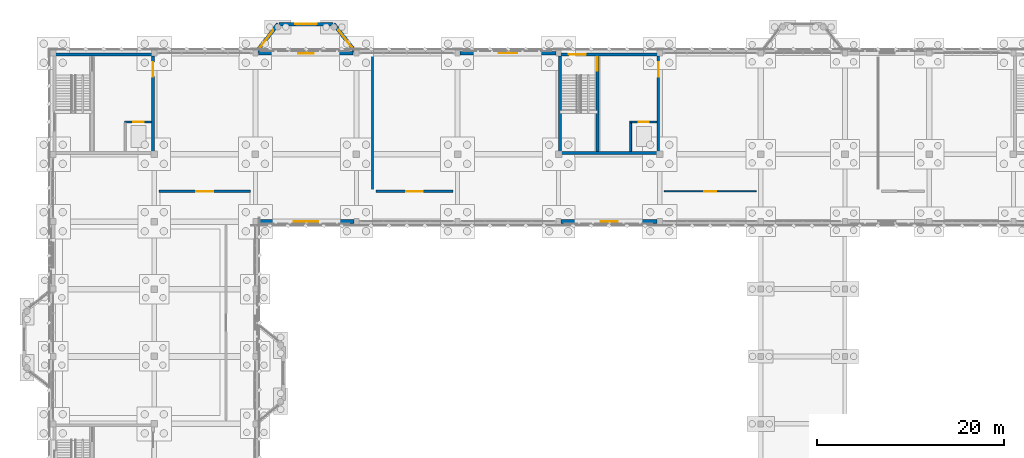
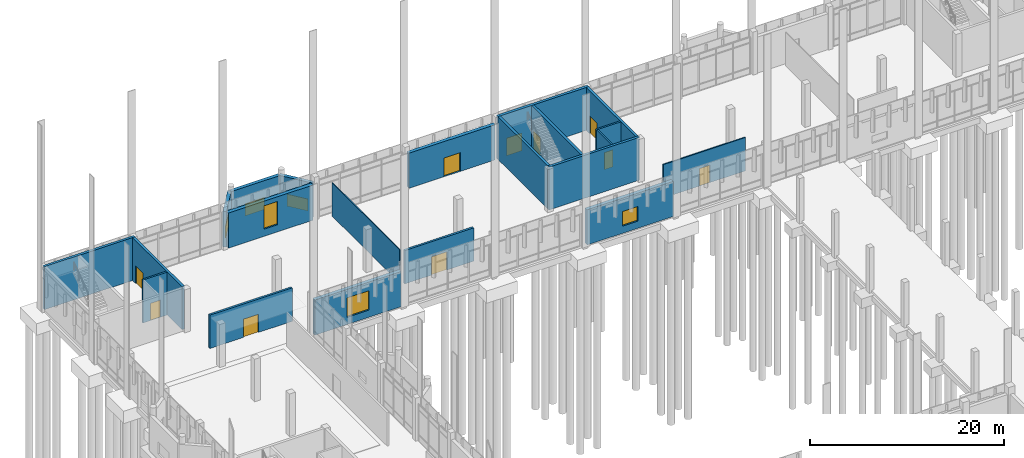
# One storey, part 87 of 109: 21 walls, 10 doors, 6 windows, 16 openings.
"""IFC4 building model written with IfcOpenShell, lengths in metres."""

from ifc_helpers import new_model, si_unit, direction, frame, frame_2d, origin, place, context, subcontext, project, spatial, rectangle, extrude, material, layer, layer_set, type_object, element, fill, save


model = new_model("IFC4")

# Units and contexts
model_context = context("Model", 3, precision=1e-05, world=origin(), true_north=direction((0.0, 1.0)))
body_context = subcontext(model_context, "Body", "Model", "MODEL_VIEW")
ifc_project = project(units=[si_unit("LENGTHUNIT", "METRE"), si_unit("AREAUNIT", "SQUARE_METRE"), si_unit("VOLUMEUNIT", "CUBIC_METRE"), si_unit("PLANEANGLEUNIT", "RADIAN"), si_unit("MASSUNIT", "GRAM", prefix="KILO")], contexts=[model_context])

# Site, building, storey
site_placement = place(None, origin())
site = spatial("IfcSite", under=ifc_project, at=site_placement, CompositionType="ELEMENT")
building_placement = place(site_placement, origin())
building = spatial("IfcBuilding", under=site, at=building_placement, Name="Lusvemor Sports Hall", CompositionType="ELEMENT")
storey_placement = place(building_placement, origin())
storey = spatial("IfcBuildingStorey", under=building, at=storey_placement, Name="L00", CompositionType="ELEMENT", Elevation=0.0)

# Wall, opening, window
ifc_material_1 = material(Name="Precast granite-faced Concrete C40/50 architectural cladding", Category="masonry")
ifc_layer_1 = layer(ifc_material_1, 0.39501953125)
ifc_layer_set_1 = layer_set([ifc_layer_1], Name="Precast granite-faced Concrete C40/50 architectural cladding")
wall_type_1 = type_object("IfcWallType", Name="EW_GRANITE_395", PredefinedType="STANDARD", material=ifc_layer_set_1)
wall_1_placement = place(storey_placement, frame((21.746826171875, 115.389892578125, 0.0), z_axis=(0.0, 0.0, 1.0), x_axis=(0.612214188553, 0.790691967415, 0.0)))
wall_1 = element("IfcWall", 1, at=wall_1_placement, inside=storey, type_object=wall_type_1, Name="Art Nouveau Bow Wall EW-BOW-N1-L00-1", PredefinedType="STANDARD", context=body_context, shape_type="SweptSolid", body=[
    extrude(rectangle(XDim=3.723388671875, YDim=0.39501953125, at=frame_2d((1.86181640625, 0.0))), origin(), (0.0, 0.0, 1.0), 4.47998046875),
])
opening_1_placement = place(wall_1_placement, frame((0.56005859375, 0.0, 0.699951171875)))
opening_1 = element("IfcOpeningElement", 2, at=opening_1_placement, cuts=wall_1, Name="Opening WN21", PredefinedType="OPENING", context=body_context, shape_type="SweptSolid", body=[
    extrude(rectangle(XDim=2.320068359375, YDim=1.52001953125, at=frame_2d((1.16015625, 0.760009765625))), frame((0.0, 0.197509765625, 0.0), z_axis=(0.0, -1.0, 0.0), x_axis=(1.0, 0.0, 0.0)), (0.0, 0.0, 1.0), 0.39501953125),
])
ifc_material_2 = material(Name="Solar-control laminated double glazing", Category="glass")
window_type_1 = type_object("IfcWindowType", Name="WIN_21", PartitioningType="SINGLE_PANEL", PredefinedType="WINDOW", material=ifc_material_2)
window_1_placement = place(opening_1_placement, origin())
window_1 = element("IfcWindow", 3, at=window_1_placement, inside=storey, type_object=window_type_1, Name="Art Nouveau Bow Window BOW-N1 L00-1", OverallHeight=1.52001953125, OverallWidth=2.320068359375, PartitioningType="SINGLE_PANEL", PredefinedType="WINDOW", context=body_context, shape_type="SweptSolid", body=[
    extrude(rectangle(XDim=2.320068359375, YDim=1.52001953125, at=frame_2d((1.16015625, 0.760009765625))), frame((0.0, 0.030029296875, 0.0), z_axis=(0.0, -1.0, 0.0), x_axis=(1.0, 0.0, 0.0)), (0.0, 0.0, 1.0), 0.06005859375),
])
fill(opening_1, window_1)

wall_2_placement = place(storey_placement, frame((24.1201171875, 118.300048828125, 0.0), z_axis=(0.0, 0.0, 1.0), x_axis=(1.0, 0.0, 0.0)))
wall_2 = element("IfcWall", 4, at=wall_2_placement, inside=storey, type_object=wall_type_1, Name="Art Nouveau Bow Wall EW-BOW-N1-L00-2", PredefinedType="STANDARD", context=body_context, shape_type="SweptSolid", body=[
    extrude(rectangle(XDim=5.759765625, YDim=0.39501953125, at=frame_2d((2.8798828125, 0.0))), origin(), (0.0, 0.0, 1.0), 4.47998046875),
])
opening_2_placement = place(wall_2_placement, frame((1.719970703125, 0.0, 0.699951171875)))
opening_2 = element("IfcOpeningElement", 5, at=opening_2_placement, cuts=wall_2, Name="Opening WN21", PredefinedType="OPENING", context=body_context, shape_type="SweptSolid", body=[
    extrude(rectangle(XDim=2.320068359375, YDim=1.52001953125, at=frame_2d((1.16015625, 0.760009765625))), frame((0.0, 0.197509765625, 0.0), z_axis=(0.0, -1.0, 0.0), x_axis=(1.0, 0.0, 0.0)), (0.0, 0.0, 1.0), 0.39501953125),
])
window_2_placement = place(opening_2_placement, origin())
window_2 = element("IfcWindow", 6, at=window_2_placement, inside=storey, type_object=window_type_1, Name="Art Nouveau Bow Window BOW-N1 L00-2", OverallHeight=1.52001953125, OverallWidth=2.320068359375, PartitioningType="SINGLE_PANEL", PredefinedType="WINDOW", context=body_context, shape_type="SweptSolid", body=[
    extrude(rectangle(XDim=2.320068359375, YDim=1.52001953125, at=frame_2d((1.16015625, 0.760009765625))), frame((0.0, 0.030029296875, 0.0), z_axis=(0.0, -1.0, 0.0), x_axis=(1.0, 0.0, 0.0)), (0.0, 0.0, 1.0), 0.06005859375),
])
fill(opening_2, window_2)

wall_3_placement = place(storey_placement, frame((29.9736328125, 118.333984375, 0.0), z_axis=(0.0, 0.0, 1.0), x_axis=(0.612214188553, -0.790691967415, 0.0)))
wall_3 = element("IfcWall", 7, at=wall_3_placement, inside=storey, type_object=wall_type_1, Name="Art Nouveau Bow Wall EW-BOW-N1-L00-3", PredefinedType="STANDARD", context=body_context, shape_type="SweptSolid", body=[
    extrude(rectangle(XDim=3.723388671875, YDim=0.39501953125, at=frame_2d((1.86181640625, 0.0))), origin(), (0.0, 0.0, 1.0), 4.47998046875),
])
opening_3_placement = place(wall_3_placement, frame((0.843017578125, 0.0, 0.699951171875)))
opening_3 = element("IfcOpeningElement", 8, at=opening_3_placement, cuts=wall_3, Name="Opening WN21", PredefinedType="OPENING", context=body_context, shape_type="SweptSolid", body=[
    extrude(rectangle(XDim=2.320068359375, YDim=1.52001953125, at=frame_2d((1.16015625, 0.760009765625))), frame((0.0, 0.197509765625, 0.0), z_axis=(0.0, -1.0, 0.0), x_axis=(1.0, 0.0, 0.0)), (0.0, 0.0, 1.0), 0.39501953125),
])
window_3_placement = place(opening_3_placement, origin())
window_3 = element("IfcWindow", 9, at=window_3_placement, inside=storey, type_object=window_type_1, Name="Art Nouveau Bow Window BOW-N1 L00-3", OverallHeight=1.52001953125, OverallWidth=2.320068359375, PartitioningType="SINGLE_PANEL", PredefinedType="WINDOW", context=body_context, shape_type="SweptSolid", body=[
    extrude(rectangle(XDim=2.320068359375, YDim=1.52001953125, at=frame_2d((1.16015625, 0.760009765625))), frame((0.0, 0.030029296875, 0.0), z_axis=(0.0, -1.0, 0.0), x_axis=(1.0, 0.0, 0.0)), (0.0, 0.0, 1.0), 0.06005859375),
])
fill(opening_3, window_3)

ifc_material_3 = material(Name="Precast granite-faced Concrete C40/50 architectural cladding", Category="masonry")
ifc_layer_2 = layer(ifc_material_3, 0.419921875)
ifc_layer_set_2 = layer_set([ifc_layer_2], Name="Precast granite-faced Concrete C40/50 architectural cladding")
wall_type_2 = type_object("IfcWallType", Name="EW_GRANITE_420", PredefinedType="STANDARD", material=ifc_layer_set_2)
wall_4_placement = place(storey_placement, frame((21.947265625, 115.199951171875, 0.0), z_axis=(0.0, 0.0, 1.0), x_axis=(1.0, 0.0, 0.0)))
wall_4 = element("IfcWall", 10, at=wall_4_placement, inside=storey, type_object=wall_type_2, Name="Exterior Wall EW-L00-N-1-2", PredefinedType="STANDARD", context=body_context, shape_type="SweptSolid", body=[
    extrude(rectangle(XDim=10.10546875, YDim=0.419921875, at=frame_2d((5.052734375, 0.0))), origin(), (0.0, 0.0, 1.0), 4.425048828125),
])
opening_4_placement = place(wall_4_placement, frame((4.227783203125, 0.0, 0.89990234375)))
opening_4 = element("IfcOpeningElement", 11, at=opening_4_placement, cuts=wall_4, Name="Opening WN05", PredefinedType="OPENING", context=body_context, shape_type="SweptSolid", body=[
    extrude(rectangle(XDim=1.64990234375, YDim=2.949951171875, at=frame_2d((0.824951171875, 1.47509765625))), frame((0.0, 0.2099609375, 0.0), z_axis=(0.0, -1.0, 0.0), x_axis=(1.0, 0.0, 0.0)), (0.0, 0.0, 1.0), 0.419921875),
])
ifc_material_4 = material(Name="Solar-control laminated double glazing", Category="glass")
window_type_2 = type_object("IfcWindowType", Name="WIN_05", PartitioningType="SINGLE_PANEL", PredefinedType="WINDOW", material=ifc_material_4)
window_4_placement = place(opening_4_placement, origin())
window_4 = element("IfcWindow", 12, at=window_4_placement, inside=storey, type_object=window_type_2, Name="Wing Window L00-N-1-2", OverallHeight=2.949951171875, OverallWidth=1.64990234375, PartitioningType="SINGLE_PANEL", PredefinedType="WINDOW", context=body_context, shape_type="SweptSolid", body=[
    extrude(rectangle(XDim=1.64990234375, YDim=2.949951171875, at=frame_2d((0.824951171875, 1.47509765625))), frame((0.0, 0.030029296875, 0.0), z_axis=(0.0, -1.0, 0.0), x_axis=(1.0, 0.0, 0.0)), (0.0, 0.0, 1.0), 0.06005859375),
])
fill(opening_4, window_4)

# Wall, opening, door
wall_5_placement = place(storey_placement, frame((43.47607421875, 115.199951171875, 0.0), z_axis=(0.0, 0.0, 1.0), x_axis=(1.0, 0.0, 0.0)))
wall_5 = element("IfcWall", 13, at=wall_5_placement, inside=storey, type_object=wall_type_2, Name="Exterior Wall EW-L00-N-1-4", PredefinedType="STANDARD", context=body_context, shape_type="SweptSolid", body=[
    extrude(rectangle(XDim=10.248046875, YDim=0.419921875, at=frame_2d((5.1240234375, 0.0))), origin(), (0.0, 0.0, 1.0), 4.425048828125),
])
opening_5_placement = place(wall_5_placement, frame((4.134033203125, 0.0, 0.0)))
opening_5 = element("IfcOpeningElement", 14, at=opening_5_placement, cuts=wall_5, Name="Opening ED10", PredefinedType="OPENING", context=body_context, shape_type="SweptSolid", body=[
    extrude(rectangle(XDim=1.97998046875, YDim=2.360107421875, at=frame_2d((0.989990234375, 1.18017578125))), frame((0.0, 0.2099609375, 0.0), z_axis=(0.0, -1.0, 0.0), x_axis=(1.0, 0.0, 0.0)), (0.0, 0.0, 1.0), 0.419921875),
])
ifc_material_5 = material(Name="Thermally broken bronze-anodized aluminium", Category="aluminium")
door_type_1 = type_object("IfcDoorType", Name="EDR_PLANT_198x236", OperationType="NOTDEFINED", PredefinedType="DOOR", material=ifc_material_5)
door_1_placement = place(opening_5_placement, origin())
door_1 = element("IfcDoor", 15, at=door_1_placement, inside=storey, type_object=door_type_1, Name="DR-027", OperationType="SINGLE_SWING_LEFT", OverallHeight=2.360107421875, OverallWidth=1.97998046875, PredefinedType="DOOR", context=body_context, shape_type="SweptSolid", body=[
    extrude(rectangle(XDim=1.97998046875, YDim=2.360107421875, at=frame_2d((0.989990234375, 1.18017578125))), frame((0.0, 0.02490234375, 0.0), z_axis=(0.0, -1.0, 0.0), x_axis=(1.0, 0.0, 0.0)), (0.0, 0.0, 1.0), 0.050048828125),
])
fill(opening_5, door_1)

# Wall, opening, window
wall_6_placement = place(storey_placement, frame((32.1240234375, 97.199951171875, 0.0), z_axis=(0.0, 0.0, 1.0), x_axis=(-1.0, 0.0, 0.0)))
wall_6 = element("IfcWall", 16, at=wall_6_placement, inside=storey, type_object=wall_type_2, Name="Exterior Wall EW-L00-S-3-0", PredefinedType="STANDARD", context=body_context, shape_type="SweptSolid", body=[
    extrude(rectangle(XDim=10.248046875, YDim=0.419921875, at=frame_2d((5.1240234375, 0.0))), origin(), (0.0, 0.0, 1.0), 4.425048828125),
])
opening_6_placement = place(wall_6_placement, frame((3.799072265625, 0.0, 0.89990234375)))
opening_6 = element("IfcOpeningElement", 17, at=opening_6_placement, cuts=wall_6, Name="Opening WN07", PredefinedType="OPENING", context=body_context, shape_type="SweptSolid", body=[
    extrude(rectangle(XDim=2.64990234375, YDim=2.449951171875, at=frame_2d((1.324951171875, 1.22509765625))), frame((0.0, 0.2099609375, 0.0), z_axis=(0.0, -1.0, 0.0), x_axis=(1.0, 0.0, 0.0)), (0.0, 0.0, 1.0), 0.419921875),
])
ifc_material_6 = material(Name="Solar-control laminated double glazing", Category="glass")
window_type_3 = type_object("IfcWindowType", Name="WIN_07", PartitioningType="SINGLE_PANEL", PredefinedType="WINDOW", material=ifc_material_6)
window_5_placement = place(opening_6_placement, origin())
window_5 = element("IfcWindow", 18, at=window_5_placement, inside=storey, type_object=window_type_3, Name="Wing Window L00-S-3-0", OverallHeight=2.449951171875, OverallWidth=2.64990234375, PartitioningType="SINGLE_PANEL", PredefinedType="WINDOW", context=body_context, shape_type="SweptSolid", body=[
    extrude(rectangle(XDim=2.64990234375, YDim=2.449951171875, at=frame_2d((1.324951171875, 1.22509765625))), frame((0.0, 0.030029296875, 0.0), z_axis=(0.0, -1.0, 0.0), x_axis=(1.0, 0.0, 0.0)), (0.0, 0.0, 1.0), 0.06005859375),
])
fill(opening_6, window_5)

wall_7_placement = place(storey_placement, frame((64.52392578125, 97.199951171875, 0.0), z_axis=(0.0, 0.0, 1.0), x_axis=(-1.0, 0.0, 0.0)))
wall_7 = element("IfcWall", 19, at=wall_7_placement, inside=storey, type_object=wall_type_2, Name="Exterior Wall EW-L00-S-3-3", PredefinedType="STANDARD", context=body_context, shape_type="SweptSolid", body=[
    extrude(rectangle(XDim=10.248046875, YDim=0.419921875, at=frame_2d((5.1240234375, 0.0))), origin(), (0.0, 0.0, 1.0), 4.425048828125),
])
opening_7_placement = place(wall_7_placement, frame((4.214111328125, 0.0, 0.89990234375)))
opening_7 = element("IfcOpeningElement", 20, at=opening_7_placement, cuts=wall_7, Name="Opening WN10", PredefinedType="OPENING", context=body_context, shape_type="SweptSolid", body=[
    extrude(rectangle(XDim=1.820068359375, YDim=1.840087890625, at=frame_2d((0.91015625, 0.919921875))), frame((0.0, 0.2099609375, 0.0), z_axis=(0.0, -1.0, 0.0), x_axis=(1.0, 0.0, 0.0)), (0.0, 0.0, 1.0), 0.419921875),
])
ifc_material_7 = material(Name="Solar-control laminated double glazing", Category="glass")
window_type_4 = type_object("IfcWindowType", Name="WIN_10", PartitioningType="SINGLE_PANEL", PredefinedType="WINDOW", material=ifc_material_7)
window_6_placement = place(opening_7_placement, origin())
window_6 = element("IfcWindow", 21, at=window_6_placement, inside=storey, type_object=window_type_4, Name="Wing Window L00-S-3-3", OverallHeight=1.840087890625, OverallWidth=1.820068359375, PartitioningType="SINGLE_PANEL", PredefinedType="WINDOW", context=body_context, shape_type="SweptSolid", body=[
    extrude(rectangle(XDim=1.820068359375, YDim=1.840087890625, at=frame_2d((0.91015625, 0.919921875))), frame((0.0, 0.030029296875, 0.0), z_axis=(0.0, -1.0, 0.0), x_axis=(1.0, 0.0, 0.0)), (0.0, 0.0, 1.0), 0.06005859375),
])
fill(opening_7, window_6)

# Wall, opening, door
ifc_material_8 = material(Name="Plastered ceramic masonry blockwork", Category="masonry")
ifc_layer_3 = layer(ifc_material_8, 0.25)
ifc_layer_set_3 = layer_set([ifc_layer_3], Name="Plastered ceramic masonry blockwork")
wall_type_3 = type_object("IfcWallType", Name="IW_COMP_248", PredefinedType="STANDARD", material=ifc_layer_set_3)
wall_8_placement = place(storey_placement, frame((11.300048828125, 100.449951171875, 0.0), z_axis=(0.0, 0.0, 1.0), x_axis=(1.0, 0.0, 0.0)))
wall_8 = element("IfcWall", 22, at=wall_8_placement, inside=storey, type_object=wall_type_3, Name="Partition IW-L00-CNN-PLM1", PredefinedType="STANDARD", context=body_context, shape_type="SweptSolid", body=[
    extrude(rectangle(XDim=9.800048828125, YDim=0.25, at=frame_2d((4.89990234375, 0.0))), origin(), (0.0, 0.0, 1.0), 4.199951171875),
])
opening_8_placement = place(wall_8_placement, frame((4.0, 0.0, 0.0)))
opening_8 = element("IfcOpeningElement", 23, at=opening_8_placement, cuts=wall_8, Name="Opening DR-FD60-02", PredefinedType="OPENING", context=body_context, shape_type="SweptSolid", body=[
    extrude(rectangle(XDim=1.800048828125, YDim=2.300048828125, at=frame_2d((0.89990234375, 1.14990234375))), frame((0.0, 0.125, 0.0), z_axis=(0.0, -1.0, 0.0), x_axis=(1.0, 0.0, 0.0)), (0.0, 0.0, 1.0), 0.25),
])
ifc_material_9 = material(Name="Fire-rated insulated painted steel door assembly", Category="steel")
door_type_2 = type_object("IfcDoorType", Name="IDR_PLANT_FD60_180", OperationType="NOTDEFINED", PredefinedType="DOOR", material=ifc_material_9)
door_2_placement = place(opening_8_placement, origin())
door_2 = element("IfcDoor", 24, at=door_2_placement, inside=storey, type_object=door_type_2, Name="DR-160", OperationType="SINGLE_SWING_RIGHT", OverallHeight=2.300048828125, OverallWidth=1.800048828125, PredefinedType="DOOR", context=body_context, shape_type="SweptSolid", body=[
    extrude(rectangle(XDim=1.800048828125, YDim=2.300048828125, at=frame_2d((0.89990234375, 1.14990234375))), frame((0.0, 0.02490234375, 0.0), z_axis=(0.0, -1.0, 0.0), x_axis=(1.0, 0.0, 0.0)), (0.0, 0.0, 1.0), 0.050048828125),
])
fill(opening_8, door_2)

wall_9_placement = place(storey_placement, frame((34.5, 100.449951171875, 0.0), z_axis=(0.0, 0.0, 1.0), x_axis=(1.0, 0.0, 0.0)))
wall_9 = element("IfcWall", 25, at=wall_9_placement, inside=storey, type_object=wall_type_3, Name="Partition IW-L00-CNN-PLE1", PredefinedType="STANDARD", context=body_context, shape_type="SweptSolid", body=[
    extrude(rectangle(XDim=8.199951171875, YDim=0.25, at=frame_2d((4.10009765625, 0.0))), origin(), (0.0, 0.0, 1.0), 4.199951171875),
])
opening_9_placement = place(wall_9_placement, frame((3.199951171875, 0.0, 0.0)))
opening_9 = element("IfcOpeningElement", 26, at=opening_9_placement, cuts=wall_9, Name="Opening DR-FD60-02", PredefinedType="OPENING", context=body_context, shape_type="SweptSolid", body=[
    extrude(rectangle(XDim=1.800048828125, YDim=2.300048828125, at=frame_2d((0.89990234375, 1.14990234375))), frame((0.0, 0.125, 0.0), z_axis=(0.0, -1.0, 0.0), x_axis=(1.0, 0.0, 0.0)), (0.0, 0.0, 1.0), 0.25),
])
door_3_placement = place(opening_9_placement, origin())
door_3 = element("IfcDoor", 27, at=door_3_placement, inside=storey, type_object=door_type_2, Name="DR-161", OperationType="SINGLE_SWING_LEFT", OverallHeight=2.300048828125, OverallWidth=1.800048828125, PredefinedType="DOOR", context=body_context, shape_type="SweptSolid", body=[
    extrude(rectangle(XDim=1.800048828125, YDim=2.300048828125, at=frame_2d((0.89990234375, 1.14990234375))), frame((0.0, 0.02490234375, 0.0), z_axis=(0.0, -1.0, 0.0), x_axis=(1.0, 0.0, 0.0)), (0.0, 0.0, 1.0), 0.050048828125),
])
fill(opening_9, door_3)

# Wall
ifc_material_10 = material(Name="Double-leaf acoustic gypsum board on metal studs")
ifc_layer_4 = layer(ifc_material_10, 0.10009765625)
ifc_layer_set_4 = layer_set([ifc_layer_4], Name="Double-leaf acoustic gypsum board on metal studs")
wall_type_4 = type_object("IfcWallType", Name="IW_PART_108", PredefinedType="STANDARD", material=ifc_layer_set_4)
wall_10_placement = place(storey_placement, frame((34.14990234375, 100.699951171875, 0.0), z_axis=(0.0, 0.0, 1.0), x_axis=(0.0, 1.0, 0.0)))
element("IfcWall", 28, at=wall_10_placement, inside=storey, type_object=wall_type_4, Name="Partition IW-L00-CNNDIV-34", PredefinedType="STANDARD", context=body_context, shape_type="SweptSolid", body=[
    extrude(rectangle(XDim=14.0, YDim=0.10009765625, at=frame_2d((7.0, 0.0))), origin(), (0.0, 0.0, 1.0), 4.199951171875),
])

# Wall, opening, door
ifc_material_11 = material(Name="Double-leaf acoustic gypsum board on metal studs")
ifc_layer_5 = layer(ifc_material_11, 0.14990234375)
ifc_layer_set_5 = layer_set([ifc_layer_5], Name="Double-leaf acoustic gypsum board on metal studs")
wall_type_5 = type_object("IfcWallType", Name="IW_PART_152", PredefinedType="STANDARD", material=ifc_layer_set_5)
wall_11_placement = place(storey_placement, frame((65.300048828125, 100.449951171875, 0.0), z_axis=(0.0, 0.0, 1.0), x_axis=(1.0, 0.0, 0.0)))
wall_11 = element("IfcWall", 29, at=wall_11_placement, inside=storey, type_object=wall_type_5, Name="Partition IW-L00-CNN-CLIN1", PredefinedType="STANDARD", context=body_context, shape_type="SweptSolid", body=[
    extrude(rectangle(XDim=9.800048828125, YDim=0.14990234375, at=frame_2d((4.89990234375, 0.0))), origin(), (0.0, 0.0, 1.0), 4.199951171875),
])
opening_10_placement = place(wall_11_placement, frame((4.27001953125, 0.0, 0.0)))
opening_10 = element("IfcOpeningElement", 30, at=opening_10_placement, cuts=wall_11, Name="Opening ID07", PredefinedType="OPENING", context=body_context, shape_type="SweptSolid", body=[
    extrude(rectangle(XDim=1.260009765625, YDim=2.199951171875, at=frame_2d((0.6298828125, 1.10009765625))), frame((0.0, 0.074951171875, 0.0), z_axis=(0.0, -1.0, 0.0), x_axis=(1.0, 0.0, 0.0)), (0.0, 0.0, 1.0), 0.14990234375),
])
ifc_material_12 = material(Name="Acoustic solid-core hardwood door leaf in steel frame", Category="steel")
door_type_3 = type_object("IfcDoorType", Name="IDR_CLINIC_126", OperationType="NOTDEFINED", PredefinedType="DOOR", material=ifc_material_12)
door_4_placement = place(opening_10_placement, origin())
door_4 = element("IfcDoor", 31, at=door_4_placement, inside=storey, type_object=door_type_3, Name="DR-162", OperationType="SINGLE_SWING_RIGHT", OverallHeight=2.199951171875, OverallWidth=1.260009765625, PredefinedType="DOOR", context=body_context, shape_type="SweptSolid", body=[
    extrude(rectangle(XDim=1.260009765625, YDim=2.199951171875, at=frame_2d((0.6298828125, 1.10009765625))), frame((0.0, 0.02490234375, 0.0), z_axis=(0.0, -1.0, 0.0), x_axis=(1.0, 0.0, 0.0)), (0.0, 0.0, 1.0), 0.050048828125),
])
fill(opening_10, door_4)

ifc_material_13 = material(Name="Concrete C40/50", Category="concrete")
ifc_layer_6 = layer(ifc_material_13, 0.2099609375)
ifc_layer_set_6 = layer_set([ifc_layer_6], Name="Concrete C40/50")
wall_type_6 = type_object("IfcWallType", Name="IW_SHFT_212", PredefinedType="STANDARD", material=ifc_layer_set_6)
wall_12_placement = place(storey_placement, frame((7.590087890625, 107.85009765625, 0.0), z_axis=(0.0, 0.0, 1.0), x_axis=(1.0, 0.0, 0.0)))
wall_12 = element("IfcWall", 32, at=wall_12_placement, inside=storey, type_object=wall_type_6, Name="Lift LF-01 Shaft Front Wall (L00)", PredefinedType="STANDARD", context=body_context, shape_type="SweptSolid", body=[
    extrude(rectangle(XDim=2.909912109375, YDim=0.2099609375, at=frame_2d((1.455078125, 0.0))), origin(), (0.0, 0.0, 1.0), 5.39990234375),
])
opening_11_placement = place(wall_12_placement, frame((0.93994140625, 0.0, 0.0)))
opening_11 = element("IfcOpeningElement", 33, at=opening_11_placement, cuts=wall_12, Name="Opening LD-01", PredefinedType="OPENING", context=body_context, shape_type="SweptSolid", body=[
    extrude(rectangle(XDim=1.139892578125, YDim=2.159912109375, at=frame_2d((0.56982421875, 1.080078125))), frame((0.0, 0.10498046875, 0.0), z_axis=(0.0, -1.0, 0.0), x_axis=(1.0, 0.0, 0.0)), (0.0, 0.0, 1.0), 0.2099609375),
])
ifc_material_14 = material(Name="Brushed stainless-steel sliding lift landing door", Category="steel")
door_type_4 = type_object("IfcDoorType", Name="LIFT_DOOR_FF_114", OperationType="NOTDEFINED", PredefinedType="DOOR", material=ifc_material_14)
door_5_placement = place(opening_11_placement, origin())
door_5 = element("IfcDoor", 34, at=door_5_placement, inside=storey, type_object=door_type_4, Name="DR-037", OperationType="SLIDING_TO_LEFT", OverallHeight=2.159912109375, OverallWidth=1.139892578125, PredefinedType="DOOR", context=body_context, shape_type="SweptSolid", body=[
    extrude(rectangle(XDim=1.139892578125, YDim=2.159912109375, at=frame_2d((0.56982421875, 1.080078125))), frame((0.0, 0.02490234375, 0.0), z_axis=(0.0, -1.0, 0.0), x_axis=(1.0, 0.0, 0.0)), (0.0, 0.0, 1.0), 0.050048828125),
])
fill(opening_11, door_5)

wall_13_placement = place(storey_placement, frame((61.590087890625, 107.85009765625, 0.0), z_axis=(0.0, 0.0, 1.0), x_axis=(1.0, 0.0, 0.0)))
wall_13 = element("IfcWall", 35, at=wall_13_placement, inside=storey, type_object=wall_type_6, Name="Lift LP-01 Shaft Front Wall (L00)", PredefinedType="STANDARD", context=body_context, shape_type="SweptSolid", body=[
    extrude(rectangle(XDim=2.909912109375, YDim=0.2099609375, at=frame_2d((1.455078125, 0.0))), origin(), (0.0, 0.0, 1.0), 5.39990234375),
])
opening_12_placement = place(wall_13_placement, frame((0.989990234375, 0.0, 0.0)))
opening_12 = element("IfcOpeningElement", 36, at=opening_12_placement, cuts=wall_13, Name="Opening LD-02", PredefinedType="OPENING", context=body_context, shape_type="SweptSolid", body=[
    extrude(rectangle(XDim=1.0400390625, YDim=2.159912109375, at=frame_2d((0.52001953125, 1.080078125))), frame((0.0, 0.10498046875, 0.0), z_axis=(0.0, -1.0, 0.0), x_axis=(1.0, 0.0, 0.0)), (0.0, 0.0, 1.0), 0.2099609375),
])
ifc_material_15 = material(Name="Brushed stainless-steel sliding lift landing door", Category="steel")
door_type_5 = type_object("IfcDoorType", Name="LIFT_DOOR_PAX_104", OperationType="NOTDEFINED", PredefinedType="DOOR", material=ifc_material_15)
door_6_placement = place(opening_12_placement, origin())
door_6 = element("IfcDoor", 37, at=door_6_placement, inside=storey, type_object=door_type_5, Name="DR-052", OperationType="SLIDING_TO_LEFT", OverallHeight=2.159912109375, OverallWidth=1.0400390625, PredefinedType="DOOR", context=body_context, shape_type="SweptSolid", body=[
    extrude(rectangle(XDim=1.0400390625, YDim=2.159912109375, at=frame_2d((0.52001953125, 1.080078125))), frame((0.0, 0.02490234375, 0.0), z_axis=(0.0, -1.0, 0.0), x_axis=(1.0, 0.0, 0.0)), (0.0, 0.0, 1.0), 0.050048828125),
])
fill(opening_12, door_6)

# Walls
wall_14_placement = place(storey_placement, frame((61.695068359375, 104.699951171875, 0.0), z_axis=(0.0, 0.0, 1.0), x_axis=(0.0, 1.0, 0.0)))
element("IfcWall", 38, at=wall_14_placement, inside=storey, type_object=wall_type_6, Name="Lift LP-01 Shaft Side Wall (L00)", PredefinedType="STANDARD", context=body_context, shape_type="SweptSolid", body=[
    extrude(rectangle(XDim=3.045166015625, YDim=0.2099609375, at=frame_2d((1.5224609375, 0.0))), origin(), (0.0, 0.0, 1.0), 5.39990234375),
])
ifc_material_16 = material(Name="Concrete C40/50", Category="concrete")
ifc_layer_7 = layer(ifc_material_16, 0.300048828125)
ifc_layer_set_7 = layer_set([ifc_layer_7], Name="Concrete C40/50")
wall_type_7 = type_object("IfcWallType", Name="WALL_CORE_300_INT", PredefinedType="SHEAR", material=ifc_layer_set_7)
wall_15_placement = place(storey_placement, frame((0.0, 115.050048828125, 0.0), z_axis=(0.0, 0.0, 1.0), x_axis=(1.0, 0.0, 0.0)))
element("IfcWall", 39, at=wall_15_placement, inside=storey, type_object=wall_type_7, Name="Core C1 Northwest Shear Wall N (L00)", PredefinedType="SHEAR", context=body_context, shape_type="SweptSolid", body=[
    extrude(rectangle(XDim=10.800048828125, YDim=0.300048828125, at=frame_2d((5.39990234375, 0.0))), origin(), (0.0, 0.0, 1.0), 5.39990234375),
])

# Wall, opening, door
wall_16_placement = place(storey_placement, frame((10.64990234375, 114.89990234375, 0.0), z_axis=(0.0, 0.0, 1.0), x_axis=(0.0, -1.0, 0.0)))
wall_16 = element("IfcWall", 40, at=wall_16_placement, inside=storey, type_object=wall_type_7, Name="Core C1 Northwest Shear Wall E (L00)", PredefinedType="SHEAR", context=body_context, shape_type="SweptSolid", body=[
    extrude(rectangle(XDim=10.199951171875, YDim=0.300048828125, at=frame_2d((5.10009765625, 0.0))), origin(), (0.0, 0.0, 1.0), 5.39990234375),
])
opening_13_placement = place(wall_16_placement, frame((0.64990234375, 0.0, 0.0)))
opening_13 = element("IfcOpeningElement", 41, at=opening_13_placement, cuts=wall_16, Name="Opening DR-FD60-01", PredefinedType="OPENING", context=body_context, shape_type="SweptSolid", body=[
    extrude(rectangle(XDim=1.5400390625, YDim=2.219970703125, at=frame_2d((0.77001953125, 1.10986328125))), frame((0.0, 0.14990234375, 0.0), z_axis=(0.0, -1.0, 0.0), x_axis=(1.0, 0.0, 0.0)), (0.0, 0.0, 1.0), 0.300048828125),
])
ifc_material_17 = material(Name="Fire-rated insulated painted steel door assembly", Category="steel")
door_type_6 = type_object("IfcDoorType", Name="IDR_LOBBY_FD60_154", OperationType="NOTDEFINED", PredefinedType="DOOR", material=ifc_material_17)
door_7_placement = place(opening_13_placement, origin())
door_7 = element("IfcDoor", 42, at=door_7_placement, inside=storey, type_object=door_type_6, Name="DR-043", OperationType="SINGLE_SWING_RIGHT", OverallHeight=2.219970703125, OverallWidth=1.5400390625, PredefinedType="DOOR", context=body_context, shape_type="SweptSolid", body=[
    extrude(rectangle(XDim=1.5400390625, YDim=2.219970703125, at=frame_2d((0.77001953125, 1.10986328125))), frame((0.0, 0.02490234375, 0.0), z_axis=(0.0, -1.0, 0.0), x_axis=(1.0, 0.0, 0.0)), (0.0, 0.0, 1.0), 0.050048828125),
])
fill(opening_13, door_7)

# Walls
wall_17_placement = place(storey_placement, frame((64.800048828125, 104.550048828125, 0.0), z_axis=(0.0, 0.0, 1.0), x_axis=(-1.0, 0.0, 0.0)))
element("IfcWall", 43, at=wall_17_placement, inside=storey, type_object=wall_type_7, Name="Core C2 North-West-Mid Shear Wall S (L00)", PredefinedType="SHEAR", context=body_context, shape_type="SweptSolid", body=[
    extrude(rectangle(XDim=10.800048828125, YDim=0.300048828125, at=frame_2d((5.39990234375, 0.0))), origin(), (0.0, 0.0, 1.0), 5.39990234375),
])
wall_18_placement = place(storey_placement, frame((54.14990234375, 104.699951171875, 0.0), z_axis=(0.0, 0.0, 1.0), x_axis=(0.0, 1.0, 0.0)))
element("IfcWall", 44, at=wall_18_placement, inside=storey, type_object=wall_type_7, Name="Core C2 North-West-Mid Shear Wall W (L00)", PredefinedType="SHEAR", context=body_context, shape_type="SweptSolid", body=[
    extrude(rectangle(XDim=10.199951171875, YDim=0.300048828125, at=frame_2d((5.10009765625, 0.0))), origin(), (0.0, 0.0, 1.0), 5.39990234375),
])

# Wall, opening, door
wall_19_placement = place(storey_placement, frame((64.64990234375, 114.89990234375, 0.0), z_axis=(0.0, 0.0, 1.0), x_axis=(0.0, -1.0, 0.0)))
wall_19 = element("IfcWall", 45, at=wall_19_placement, inside=storey, type_object=wall_type_7, Name="Core C2 North-West-Mid Shear Wall E (L00)", PredefinedType="SHEAR", context=body_context, shape_type="SweptSolid", body=[
    extrude(rectangle(XDim=10.199951171875, YDim=0.300048828125, at=frame_2d((5.10009765625, 0.0))), origin(), (0.0, 0.0, 1.0), 5.39990234375),
])
opening_14_placement = place(wall_19_placement, frame((0.64990234375, 0.0, 0.0)))
opening_14 = element("IfcOpeningElement", 46, at=opening_14_placement, cuts=wall_19, Name="Opening DR-FD60-01", PredefinedType="OPENING", context=body_context, shape_type="SweptSolid", body=[
    extrude(rectangle(XDim=1.5400390625, YDim=2.219970703125, at=frame_2d((0.77001953125, 1.10986328125))), frame((0.0, 0.14990234375, 0.0), z_axis=(0.0, -1.0, 0.0), x_axis=(1.0, 0.0, 0.0)), (0.0, 0.0, 1.0), 0.300048828125),
])
door_8_placement = place(opening_14_placement, origin())
door_8 = element("IfcDoor", 47, at=door_8_placement, inside=storey, type_object=door_type_6, Name="DR-058", OperationType="SINGLE_SWING_RIGHT", OverallHeight=2.219970703125, OverallWidth=1.5400390625, PredefinedType="DOOR", context=body_context, shape_type="SweptSolid", body=[
    extrude(rectangle(XDim=1.5400390625, YDim=2.219970703125, at=frame_2d((0.77001953125, 1.10986328125))), frame((0.0, 0.02490234375, 0.0), z_axis=(0.0, -1.0, 0.0), x_axis=(1.0, 0.0, 0.0)), (0.0, 0.0, 1.0), 0.050048828125),
])
fill(opening_14, door_8)

wall_20_placement = place(storey_placement, frame((58.14990234375, 104.699951171875, 0.0), z_axis=(0.0, 0.0, 1.0), x_axis=(0.0, 1.0, 0.0)))
wall_20 = element("IfcWall", 48, at=wall_20_placement, inside=storey, type_object=wall_type_7, Name="Core C2 North-West-Mid Shear Wall M (L00)", PredefinedType="SHEAR", context=body_context, shape_type="SweptSolid", body=[
    extrude(rectangle(XDim=10.199951171875, YDim=0.300048828125, at=frame_2d((5.10009765625, 0.0))), origin(), (0.0, 0.0, 1.0), 5.39990234375),
])
opening_15_placement = place(wall_20_placement, frame((8.6298828125, 0.0, 0.0)))
opening_15 = element("IfcOpeningElement", 49, at=opening_15_placement, cuts=wall_20, Name="Opening DR-FD90-01", PredefinedType="OPENING", context=body_context, shape_type="SweptSolid", body=[
    extrude(rectangle(XDim=1.419921875, YDim=2.199951171875, at=frame_2d((0.7099609375, 1.10009765625))), frame((0.0, 0.14990234375, 0.0), z_axis=(0.0, -1.0, 0.0), x_axis=(1.0, 0.0, 0.0)), (0.0, 0.0, 1.0), 0.300048828125),
])
ifc_material_18 = material(Name="Fire-rated insulated painted steel door assembly", Category="steel")
door_type_7 = type_object("IfcDoorType", Name="IDR_STAIR_FD90_142", OperationType="NOTDEFINED", PredefinedType="DOOR", material=ifc_material_18)
door_9_placement = place(opening_15_placement, origin())
door_9 = element("IfcDoor", 50, at=door_9_placement, inside=storey, type_object=door_type_7, Name="DR-057", OperationType="SINGLE_SWING_LEFT", OverallHeight=2.199951171875, OverallWidth=1.419921875, PredefinedType="DOOR", context=body_context, shape_type="SweptSolid", body=[
    extrude(rectangle(XDim=1.419921875, YDim=2.199951171875, at=frame_2d((0.7099609375, 1.10009765625))), frame((0.0, 0.02490234375, 0.0), z_axis=(0.0, -1.0, 0.0), x_axis=(1.0, 0.0, 0.0)), (0.0, 0.0, 1.0), 0.050048828125),
])
fill(opening_15, door_9)

ifc_material_19 = material(Name="Concrete C40/50", Category="concrete")
ifc_layer_8 = layer(ifc_material_19, 0.324951171875)
ifc_layer_set_8 = layer_set([ifc_layer_8], Name="Concrete C40/50")
wall_type_8 = type_object("IfcWallType", Name="WALL_CORE_325_EXT", PredefinedType="SHEAR", material=ifc_layer_set_8)
wall_21_placement = place(storey_placement, frame((54.0, 115.050048828125, 0.0), z_axis=(0.0, 0.0, 1.0), x_axis=(1.0, 0.0, 0.0)))
wall_21 = element("IfcWall", 51, at=wall_21_placement, inside=storey, type_object=wall_type_8, Name="Core C2 North-West-Mid Shear Wall N (L00)", PredefinedType="SHEAR", context=body_context, shape_type="SweptSolid", body=[
    extrude(rectangle(XDim=10.800048828125, YDim=0.324951171875, at=frame_2d((5.39990234375, 0.0))), origin(), (0.0, 0.0, 1.0), 5.39990234375),
])
opening_16_placement = place(wall_21_placement, frame((1.10009765625, 0.0, 0.0)))
opening_16 = element("IfcOpeningElement", 52, at=opening_16_placement, cuts=wall_21, Name="Opening ED04", PredefinedType="OPENING", context=body_context, shape_type="SweptSolid", body=[
    extrude(rectangle(XDim=1.820068359375, YDim=2.219970703125, at=frame_2d((0.91015625, 1.10986328125))), frame((0.0, 0.16259765625, 0.0), z_axis=(0.0, -1.0, 0.0), x_axis=(1.0, 0.0, 0.0)), (0.0, 0.0, 1.0), 0.324951171875),
])
ifc_material_20 = material(Name="Thermally broken bronze-anodized aluminium", Category="aluminium")
door_type_8 = type_object("IfcDoorType", Name="EDR_STAIR_EXIT_182x222", OperationType="NOTDEFINED", PredefinedType="DOOR", material=ifc_material_20)
door_10_placement = place(opening_16_placement, origin())
door_10 = element("IfcDoor", 53, at=door_10_placement, inside=storey, type_object=door_type_8, Name="DR-002", OperationType="SINGLE_SWING_RIGHT", OverallHeight=2.219970703125, OverallWidth=1.820068359375, PredefinedType="DOOR", context=body_context, shape_type="SweptSolid", body=[
    extrude(rectangle(XDim=1.820068359375, YDim=2.219970703125, at=frame_2d((0.91015625, 1.10986328125))), frame((0.0, 0.02490234375, 0.0), z_axis=(0.0, -1.0, 0.0), x_axis=(1.0, 0.0, 0.0)), (0.0, 0.0, 1.0), 0.050048828125),
])
fill(opening_16, door_10)

save(model, "model.ifc")
